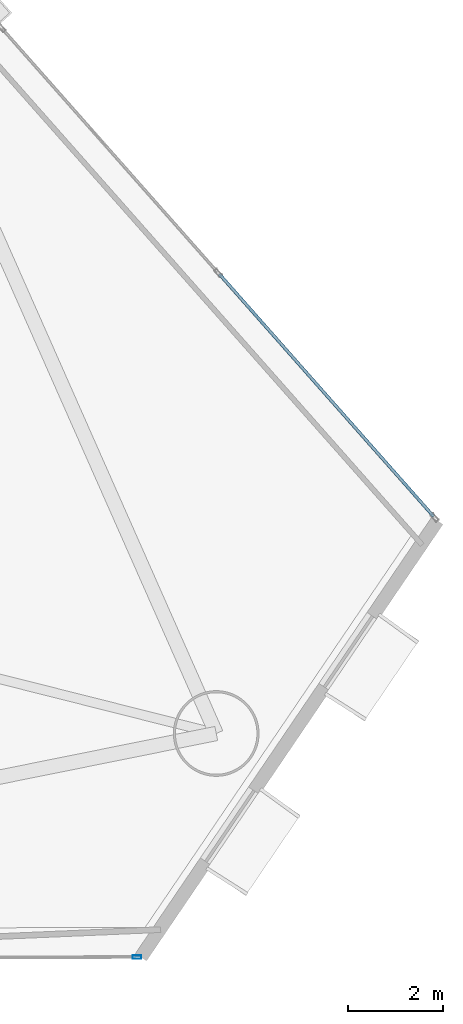
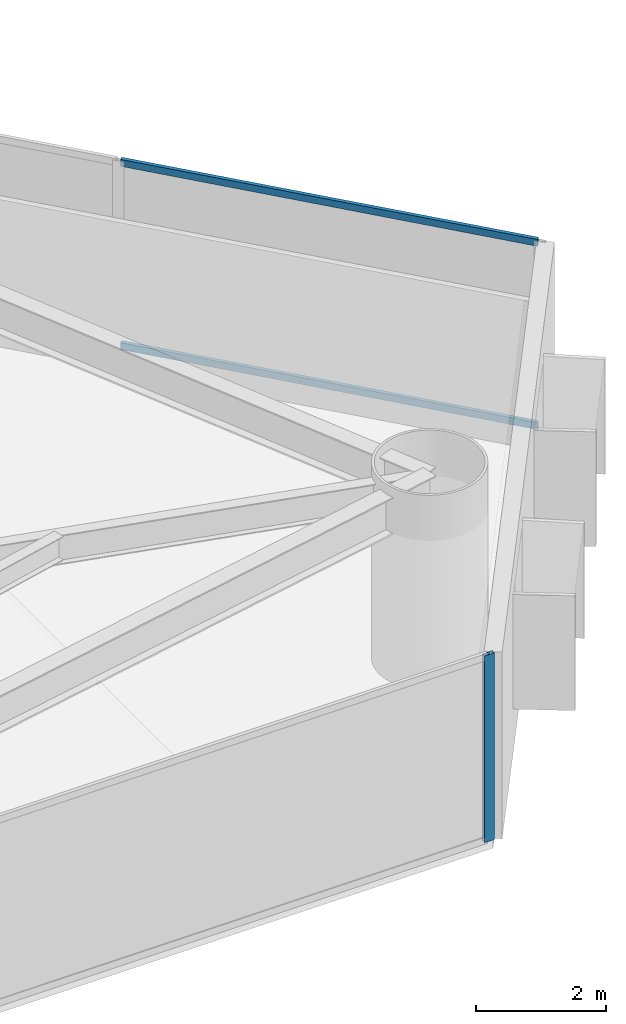
# One storey, part 12 of 22: 3 members, 2 elements without a shape of their own.
"""IFC4 building model written with IfcOpenShell, lengths in metres."""

import ifcopenshell
import ifcopenshell.guid

model = None  # the IFC model being written
_history = None  # IfcOwnerHistory: only IFC2X3 demands one
_inside = {}  # id of a spatial element -> (the spatial element, [elements in it])
_under = {}  # id of a project, library or spatial element -> (it, [spatial elements below it])
_declared = {}  # id of a project -> (the project, [libraries it declares])
_typed = {}  # id of a type object -> (the type object, [elements of that type])
_made_of = {}  # id of a material, layer set ... -> (it, [elements and type objects made of it])


def new_model(schema):
    """Start an empty IFC model of exactly this schema.

    Asked for "IFC4X3", IfcOpenShell would pick the latest addendum, in which some entities
    have other attributes; the version numbers below select the first issue.
    IFC2X3 requires an IfcOwnerHistory on every rooted entity: one is made here for all.
    """
    global model, _history
    if schema == "IFC4X3":
        model = ifcopenshell.file(schema_version=(4, 3, 0, 0))
    else:
        model = ifcopenshell.file(schema=schema)
    _inside.clear()
    _under.clear()
    _declared.clear()
    _typed.clear()
    _made_of.clear()
    _history = None
    if model.schema == "IFC2X3":
        org = make("IfcOrganization", Name="unknown")
        user = make(
            "IfcPersonAndOrganization",
            ThePerson=make("IfcPerson", FamilyName="unknown"),
            TheOrganization=org,
        )
        app = make(
            "IfcApplication",
            ApplicationDeveloper=org,
            Version="unknown",
            ApplicationFullName="unknown",
            ApplicationIdentifier="unknown",
        )
        _history = make(
            "IfcOwnerHistory",
            OwningUser=user,
            OwningApplication=app,
            ChangeAction="ADDED",
            CreationDate=0,
        )
    return model


def make(cls, **values):
    """One entity of the class cls with the attributes given. An attribute that is None is left unset."""
    return model.create_entity(
        cls, **{name: value for name, value in values.items() if value is not None}
    )


def rooted(cls, **values):
    """An entity with a GlobalId (a new one), such as an element, a storey or a relation."""
    return make(cls, GlobalId=ifcopenshell.guid.new(), OwnerHistory=_history, **values)


def si_unit(unit_type, name, prefix=None):
    """IfcSIUnit, for example si_unit("LENGTHUNIT", "METRE", prefix="MILLI")."""
    return make("IfcSIUnit", UnitType=unit_type, Prefix=prefix, Name=name)


def assignment(units):
    """IfcUnitAssignment: the units of a project."""
    return None if units is None else make("IfcUnitAssignment", Units=units)


def point(xyz):
    """IfcCartesianPoint."""
    return None if xyz is None else make("IfcCartesianPoint", Coordinates=xyz)


def direction(xyz):
    """IfcDirection."""
    return None if xyz is None else make("IfcDirection", DirectionRatios=xyz)


def frame(location, z_axis=None, x_axis=None):
    """IfcAxis2Placement3D, a coordinate frame: its origin and axes. An axis left out is left unset."""
    return make(
        "IfcAxis2Placement3D",
        Location=point(location),
        Axis=direction(z_axis),
        RefDirection=direction(x_axis),
    )


def frame_2d(location, x_axis=None):
    """IfcAxis2Placement2D, a coordinate frame in the plane: its origin and x axis."""
    return make(
        "IfcAxis2Placement2D", Location=point(location), RefDirection=direction(x_axis)
    )


def origin():
    """The frame at (0, 0, 0) with its axes left unset."""
    return frame((0.0, 0.0, 0.0))


def origin_2d():
    """The frame at (0, 0) in the plane with its x axis left unset."""
    return frame_2d((0.0, 0.0))


def place(relative_to, where):
    """IfcLocalPlacement: puts the frame where relative to a parent placement (None: the world)."""
    return make(
        "IfcLocalPlacement", PlacementRelTo=relative_to, RelativePlacement=where
    )


def context(
    kind, dimensions, precision=None, world=None, true_north=None, identifier=None
):
    """IfcGeometricRepresentationContext, for example the 3D "Model" context."""
    return make(
        "IfcGeometricRepresentationContext",
        ContextIdentifier=identifier,
        ContextType=kind,
        CoordinateSpaceDimension=dimensions,
        Precision=precision,
        WorldCoordinateSystem=world,
        TrueNorth=true_north,
    )


def subcontext(parent, identifier, kind, view, scale=None):
    """IfcGeometricRepresentationSubContext, for example "Body" below "Model"."""
    return make(
        "IfcGeometricRepresentationSubContext",
        ContextIdentifier=identifier,
        ContextType=kind,
        ParentContext=parent,
        TargetScale=scale,
        TargetView=view,
    )


def project(units=None, contexts=None):
    """IfcProject with its units and contexts."""
    return rooted(
        "IfcProject",
        Name="project",
        RepresentationContexts=contexts,
        UnitsInContext=assignment(units),
    )


def spatial(cls, under=None, at=None, **own):
    """A site, building, storey or space (cls), placed at a placement, below another one or the project."""
    s = rooted(cls, ObjectPlacement=at, **own)
    if under is not None:
        _under.setdefault(under.id(), (under, []))[1].append(s)
    return s


def profile(cls, at=None, kind="AREA", **sizes):
    """A parametric profile (cls). Its sizes go by their IFC names, for example OverallWidth=200.0."""
    return make(cls, ProfileType=kind, Position=at, **sizes)


def hollow_rectangle(**sizes):
    """IfcRectangleHollowProfileDef."""
    return profile("IfcRectangleHollowProfileDef", **sizes)


def extrude(swept, where, along, depth):
    """IfcExtrudedAreaSolid: the profile swept, set in the frame where, extruded along a direction by depth."""
    return make(
        "IfcExtrudedAreaSolid",
        SweptArea=swept,
        Position=where,
        ExtrudedDirection=direction(along),
        Depth=depth,
    )


def shape(context_of_items, identifier, shape_type, items):
    """IfcShapeRepresentation: the items that make up one representation, for example the "Body"."""
    return make(
        "IfcShapeRepresentation",
        ContextOfItems=context_of_items,
        RepresentationIdentifier=identifier,
        RepresentationType=shape_type,
        Items=items,
    )


def material(Name=None, Category=None):
    """IfcMaterial."""
    return make("IfcMaterial", Name=Name, Category=Category)


def layer(
    of_material, thickness, ventilated=None, Name=None, Category=None, Priority=None
):
    """IfcMaterialLayer: one layer of a wall or slab, of a material (None: an air gap)."""
    return make(
        "IfcMaterialLayer",
        Material=of_material,
        LayerThickness=thickness,
        IsVentilated=ventilated,
        Name=Name,
        Category=Category,
        Priority=Priority,
    )


def layer_set(layers, Name=None):
    """IfcMaterialLayerSet."""
    return make("IfcMaterialLayerSet", MaterialLayers=layers, LayerSetName=Name)


def material_profile(
    of_material, cross_section, Name=None, Category=None, Priority=None
):
    """IfcMaterialProfile: a cross section and its material."""
    return make(
        "IfcMaterialProfile",
        Name=Name,
        Material=of_material,
        Profile=cross_section,
        Priority=Priority,
        Category=Category,
    )


def profile_set(profiles, Name=None, composite=None):
    """IfcMaterialProfileSet."""
    return make(
        "IfcMaterialProfileSet",
        Name=Name,
        MaterialProfiles=profiles,
        CompositeProfile=composite,
    )


def made_of(thing, what):
    """Note that an element or type object is made of a material, layer set ...; save() writes the relation."""
    if what is not None:
        _made_of.setdefault(what.id(), (what, []))[1].append(thing)
    return thing


def type_object(cls, material=None, **own):
    """A type object (cls), such as IfcWallType, which elements share."""
    return made_of(rooted(cls, **own), material)


def element(
    cls,
    number,
    at=None,
    inside=None,
    cuts=None,
    type_object=None,
    material=None,
    context=None,
    identifier="Body",
    shape_type=None,
    held_by="IfcProductDefinitionShape",
    body=None,
    shapes=None,
    **own,
):
    """One element of the class cls, such as IfcWall. Its Tag is "e" and its number.

    at: its placement. inside: the storey or other place that contains it. cuts: it is an
    opening in that element (IfcRelVoidsElement). A single representation is given by context,
    identifier, shape_type and body (its items); several are given by shapes. held_by: the class
    of the entity that holds the representations. save() writes the other relations.
    """
    e = rooted(cls, Tag="e%d" % number, ObjectPlacement=at, **own)
    if body is not None:
        shapes = [shape(context, identifier, shape_type, body)]
    if shapes is not None:
        e.Representation = make(held_by, Representations=shapes)
    if inside is not None:
        _inside.setdefault(inside.id(), (inside, []))[1].append(e)
    if cuts is not None:
        rooted(
            "IfcRelVoidsElement", RelatingBuildingElement=cuts, RelatedOpeningElement=e
        )
    if type_object is not None:
        _typed.setdefault(type_object.id(), (type_object, []))[1].append(e)
    return made_of(e, material)


def aggregate(whole, parts):
    """IfcRelAggregates: a whole, such as a stair, and the parts it consists of."""
    return rooted("IfcRelAggregates", RelatingObject=whole, RelatedObjects=parts)


def save(model, path):
    """Write the relations noted so far, then the file.

    IfcRelAggregates (storeys below a building ...), IfcRelContainedInSpatialStructure (elements
    in a storey), IfcRelDefinesByType, IfcRelAssociatesMaterial and IfcRelDeclares: one each for
    every whole, place, type object, material and project.
    """
    for whole, parts in _under.values():
        aggregate(whole, parts)
    for where, things in _inside.values():
        rooted(
            "IfcRelContainedInSpatialStructure",
            RelatedElements=things,
            RelatingStructure=where,
        )
    for kind, things in _typed.values():
        rooted("IfcRelDefinesByType", RelatedObjects=things, RelatingType=kind)
    for what, things in _made_of.values():
        rooted("IfcRelAssociatesMaterial", RelatedObjects=things, RelatingMaterial=what)
    for by, libraries in _declared.values():
        rooted("IfcRelDeclares", RelatingContext=by, RelatedDefinitions=libraries)
    model.write(path)


model = new_model("IFC4")

# Units and contexts
model_context = context("Model", 3, precision=1e-05, world=origin(), true_north=direction((0.0, 1.0)))
body_context = subcontext(model_context, "Body", "Model", "MODEL_VIEW")
ifc_project = project(units=[si_unit("LENGTHUNIT", "METRE"), si_unit("AREAUNIT", "SQUARE_METRE"), si_unit("VOLUMEUNIT", "CUBIC_METRE"), si_unit("PLANEANGLEUNIT", "RADIAN"), si_unit("MASSUNIT", "GRAM", prefix="KILO")], contexts=[model_context])

# Site, building, storey
site_placement = place(None, origin())
site = spatial("IfcSite", under=ifc_project, at=site_placement, CompositionType="ELEMENT")
building_placement = place(site_placement, origin())
building = spatial("IfcBuilding", under=site, at=building_placement, Name="Qianvela Tower", CompositionType="ELEMENT")
storey_placement = place(building_placement, frame((0.0, 0.0, 40.5)))
storey = spatial("IfcBuildingStorey", under=building, at=storey_placement, Name="L09", CompositionType="ELEMENT", Elevation=40.5)

# Curtain wall, member
ifc_material_1 = material(Name="Anodised Architectural Aluminium and Low-E Glass", Category="aluminium")
ifc_layer = layer(ifc_material_1, 0.179931640625)
ifc_layer_set = layer_set([ifc_layer], Name="Anodised Architectural Aluminium and Low-E Glass")
curtain_wall_type = type_object("IfcCurtainWallType", Name="CW-COLIV-Z12", PredefinedType="USERDEFINED", material=ifc_layer_set)
curtain_wall_1_placement = place(storey_placement, origin())
curtain_wall_1 = element("IfcCurtainWall", 1, at=curtain_wall_1_placement, inside=storey, type_object=curtain_wall_type, Name="L09 CW-COLIV-Z12 Curtain Wall 06C", ObjectType="CURTAIN_WALL_SYSTEM", PredefinedType="USERDEFINED")
ifc_material_2 = material(Name="Anodised Architectural Aluminium 6063-T6", Category="aluminium")
ifc_material_profile_1 = material_profile(ifc_material_2, hollow_rectangle(XDim=0.070068359375, YDim=0.179931640625, WallThickness=0.0048828125, at=origin_2d()), Name="ALU-MULL-70x180")
ifc_profile_set_1 = profile_set([ifc_material_profile_1], Name="Anodised Architectural Aluminium 6063-T6")
member_type_1 = type_object("IfcMemberType", Name="CW-COLIV-Z12-MULL", PredefinedType="MULLION", material=ifc_profile_set_1)
member_1_placement = place(storey_placement, frame((52.84912109375, 12.62255859375, 0.0), z_axis=(0.0, 0.0, 1.0), x_axis=(-0.003361742136, 0.999994349329, 0.0)))
member_1 = element("IfcMember", 2, at=member_1_placement, type_object=member_type_1, Name="CW-3 mullion 2", PredefinedType="MULLION", context=body_context, shape_type="SweptSolid", body=[
    extrude(hollow_rectangle(XDim=0.070068359375, YDim=0.179931640625, WallThickness=0.0048828125, at=origin_2d()), origin(), (0.0, 0.0, 1.0), 3.52001953125),
])
aggregate(curtain_wall_1, [member_1])

# Curtain wall, members
curtain_wall_2_placement = place(storey_placement, origin())
curtain_wall_2 = element("IfcCurtainWall", 3, at=curtain_wall_2_placement, inside=storey, type_object=curtain_wall_type, Name="L09 CW-COLIV-Z12 Curtain Wall 02A", ObjectType="CURTAIN_WALL_SYSTEM", PredefinedType="USERDEFINED")
ifc_material_3 = material(Name="Anodised Architectural Aluminium 6063-T6", Category="aluminium")
ifc_material_profile_2 = material_profile(ifc_material_3, hollow_rectangle(XDim=0.06494140625, YDim=0.1298828125, WallThickness=0.00439453125, at=origin_2d()), Name="ALU-TRAN-65x130")
ifc_profile_set_2 = profile_set([ifc_material_profile_2], Name="Anodised Architectural Aluminium 6063-T6")
member_type_2 = type_object("IfcMemberType", Name="CW-COLIV-Z12-TRAN", PredefinedType="USERDEFINED", material=ifc_profile_set_2)
member_2_placement = place(storey_placement, frame((59.076171875, 21.873291015625, 0.032470703125), z_axis=(-0.66245129508, 0.749104987066, 0.0), x_axis=(-0.749104987066, -0.66245129508, 0.0)))
member_2 = element("IfcMember", 4, at=member_2_placement, type_object=member_type_2, Name="CW-3 transom 1.1", ObjectType="TRANSOM", PredefinedType="USERDEFINED", context=body_context, shape_type="SweptSolid", body=[
    extrude(hollow_rectangle(XDim=0.06494140625, YDim=0.1298828125, WallThickness=0.00439453125, at=origin_2d()), origin(), (0.0, 0.0, 1.0), 6.7900390625),
])
member_3_placement = place(storey_placement, frame((59.076171875, 21.873291015625, 3.487548828125), z_axis=(-0.66245129508, 0.749104987066, 0.0), x_axis=(-0.749104987066, -0.66245129508, 0.0)))
member_3 = element("IfcMember", 5, at=member_3_placement, type_object=member_type_2, Name="CW-3 transom 1.2", ObjectType="TRANSOM", PredefinedType="USERDEFINED", context=body_context, shape_type="SweptSolid", body=[
    extrude(hollow_rectangle(XDim=0.06494140625, YDim=0.1298828125, WallThickness=0.00439453125, at=origin_2d()), origin(), (0.0, 0.0, 1.0), 6.7900390625),
])
aggregate(curtain_wall_2, [member_2, member_3])

save(model, "model.ifc")
